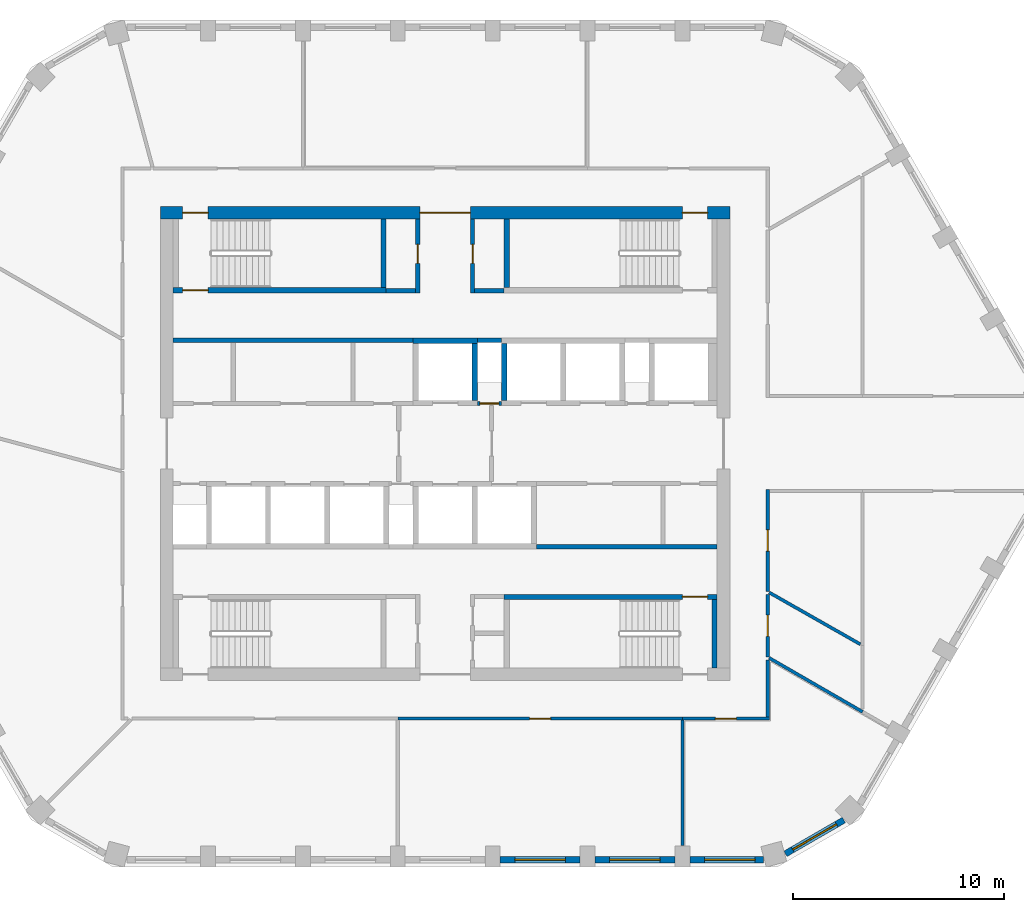
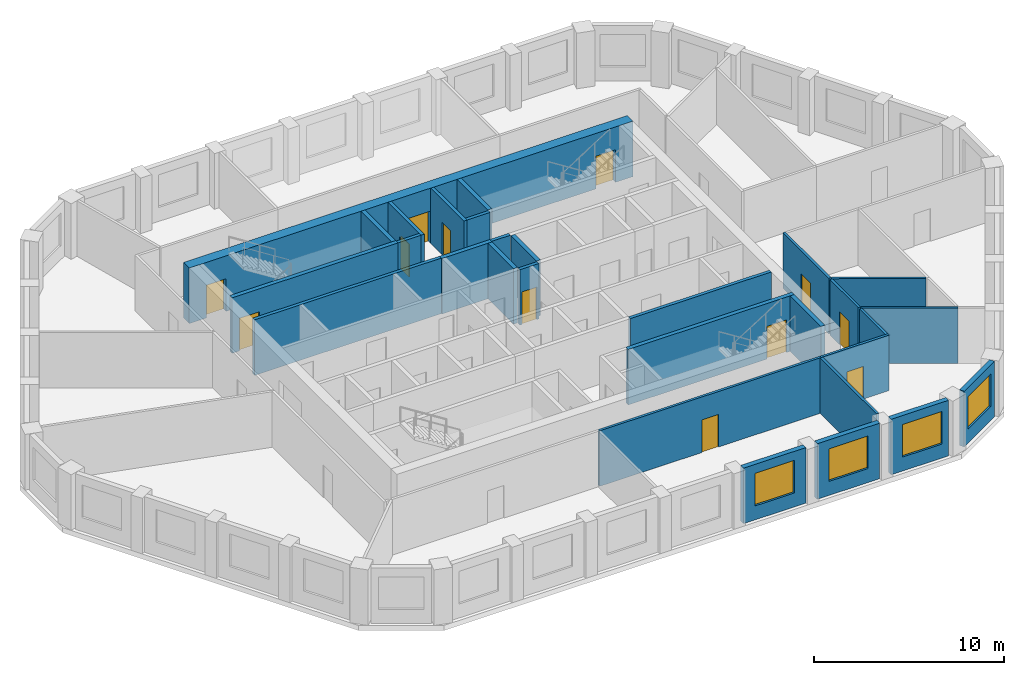
# One storey, part 4 of 10: 29 walls, 12 doors, 4 windows, 16 openings.
"""IFC4 building model written with IfcOpenShell, lengths in metres."""

from ifc_helpers import new_model, si_unit, direction, frame, frame_2d, origin, place, context, subcontext, project, spatial, polyline, rectangle, outline, extrude, material, layer, layer_set, type_object, element, fill, save


model = new_model("IFC4")

# Units and contexts
model_context = context("Model", 3, precision=1e-05, world=origin(), true_north=direction((0.0, 1.0)))
body_context = subcontext(model_context, "Body", "Model", "MODEL_VIEW")
ifc_project = project(units=[si_unit("LENGTHUNIT", "METRE"), si_unit("AREAUNIT", "SQUARE_METRE"), si_unit("VOLUMEUNIT", "CUBIC_METRE"), si_unit("PLANEANGLEUNIT", "RADIAN"), si_unit("MASSUNIT", "GRAM", prefix="KILO")], contexts=[model_context])

# Site, building, storey
site_placement = place(None, origin())
site = spatial("IfcSite", under=ifc_project, at=site_placement, CompositionType="ELEMENT")
building_placement = place(site_placement, origin())
building = spatial("IfcBuilding", under=site, at=building_placement, Name="Dhurran Vertical Campus", CompositionType="ELEMENT")
storey_placement = place(building_placement, frame((0.0, 0.0, 250.800048828125)))
storey = spatial("IfcBuildingStorey", under=building, at=storey_placement, Name="L62", CompositionType="ELEMENT", Elevation=250.800048828125)

# Wall, opening, window
ifc_material_1 = material(Name="Precast concrete C50/60", Category="concrete")
ifc_layer_1 = layer(ifc_material_1, 0.300048828125)
ifc_layer_set_1 = layer_set([ifc_layer_1], Name="Precast concrete C50/60")
wall_type_1 = type_object("IfcWallType", Name="Precast spandrel wall 300", PredefinedType="SOLIDWALL", material=ifc_layer_set_1)
wall_1_placement = place(storey_placement, frame((2.6005859375, -19.738525390625, 0.0), z_axis=(0.0, 0.0, 1.0), x_axis=(1.0, 0.0, 0.0)))
wall_1 = element("IfcWall", 1, at=wall_1_placement, inside=storey, type_object=wall_type_1, Name="EW1 L62.04", PredefinedType="SOLIDWALL", context=body_context, shape_type="SweptSolid", body=[
    extrude(rectangle(XDim=3.798828125, YDim=0.300048828125, at=frame_2d((1.8994140625, 0.0))), origin(), (0.0, 0.0, 1.0), 3.574951171875),
])
opening_1_placement = place(wall_1_placement, frame((0.699462890625, 0.0, 0.89990234375)))
opening_1 = element("IfcOpeningElement", 2, at=opening_1_placement, cuts=wall_1, Name="Opening WT1", PredefinedType="OPENING", context=body_context, shape_type="SweptSolid", body=[
    extrude(rectangle(XDim=2.39990234375, YDim=2.10009765625, at=frame_2d((1.199951171875, 1.050048828125))), frame((0.0, 0.159912109375, 0.0), z_axis=(0.0, -1.0, 0.0), x_axis=(1.0, 0.0, 0.0)), (0.0, 0.0, 1.0), 0.320068359375),
])
ifc_material_2 = material(Name="Aluminium frame with solar-control glass", Category="aluminium")
window_type = type_object("IfcWindowType", Name="Punched window 2400 x 2100", PartitioningType="SINGLE_PANEL", PredefinedType="WINDOW", material=ifc_material_2)
window_1_placement = place(opening_1_placement, origin())
window_1 = element("IfcWindow", 3, at=window_1_placement, inside=storey, type_object=window_type, Name="WT1 L62.04", OverallHeight=2.10009765625, OverallWidth=2.39990234375, PartitioningType="SINGLE_PANEL", PredefinedType="WINDOW", context=body_context, shape_type="SweptSolid", body=[
    extrude(rectangle(XDim=2.39990234375, YDim=2.10009765625, at=frame_2d((1.199951171875, 1.050048828125))), frame((0.0, 0.030029296875, 0.0), z_axis=(0.0, -1.0, 0.0), x_axis=(1.0, 0.0, 0.0)), (0.0, 0.0, 1.0), 0.06005859375),
])
fill(opening_1, window_1)

wall_2_placement = place(storey_placement, frame((7.1005859375, -19.738525390625, 0.0), z_axis=(0.0, 0.0, 1.0), x_axis=(1.0, 0.0, 0.0)))
wall_2 = element("IfcWall", 4, at=wall_2_placement, inside=storey, type_object=wall_type_1, Name="EW1 L62.05", PredefinedType="SOLIDWALL", context=body_context, shape_type="SweptSolid", body=[
    extrude(rectangle(XDim=3.798828125, YDim=0.300048828125, at=frame_2d((1.8994140625, 0.0))), origin(), (0.0, 0.0, 1.0), 3.574951171875),
])
opening_2_placement = place(wall_2_placement, frame((0.699462890625, 0.0, 0.89990234375)))
opening_2 = element("IfcOpeningElement", 5, at=opening_2_placement, cuts=wall_2, Name="Opening WT1", PredefinedType="OPENING", context=body_context, shape_type="SweptSolid", body=[
    extrude(rectangle(XDim=2.39990234375, YDim=2.10009765625, at=frame_2d((1.199951171875, 1.050048828125))), frame((0.0, 0.159912109375, 0.0), z_axis=(0.0, -1.0, 0.0), x_axis=(1.0, 0.0, 0.0)), (0.0, 0.0, 1.0), 0.320068359375),
])
window_2_placement = place(opening_2_placement, origin())
window_2 = element("IfcWindow", 6, at=window_2_placement, inside=storey, type_object=window_type, Name="WT1 L62.05", OverallHeight=2.10009765625, OverallWidth=2.39990234375, PartitioningType="SINGLE_PANEL", PredefinedType="WINDOW", context=body_context, shape_type="SweptSolid", body=[
    extrude(rectangle(XDim=2.39990234375, YDim=2.10009765625, at=frame_2d((1.199951171875, 1.050048828125))), frame((0.0, 0.030029296875, 0.0), z_axis=(0.0, -1.0, 0.0), x_axis=(1.0, 0.0, 0.0)), (0.0, 0.0, 1.0), 0.06005859375),
])
fill(opening_2, window_2)

wall_3_placement = place(storey_placement, frame((11.6005859375, -19.738525390625, 0.0), z_axis=(0.0, 0.0, 1.0), x_axis=(1.0, 0.0, 0.0)))
wall_3 = element("IfcWall", 7, at=wall_3_placement, inside=storey, type_object=wall_type_1, Name="EW1 L62.06", PredefinedType="SOLIDWALL", context=body_context, shape_type="SweptSolid", body=[
    extrude(rectangle(XDim=3.49755859375, YDim=0.300048828125, at=frame_2d((1.748779296875, 0.0))), origin(), (0.0, 0.0, 1.0), 3.574951171875),
])
opening_3_placement = place(wall_3_placement, frame((0.699462890625, 0.0, 0.89990234375)))
opening_3 = element("IfcOpeningElement", 8, at=opening_3_placement, cuts=wall_3, Name="Opening WT1", PredefinedType="OPENING", context=body_context, shape_type="SweptSolid", body=[
    extrude(rectangle(XDim=2.39990234375, YDim=2.10009765625, at=frame_2d((1.199951171875, 1.050048828125))), frame((0.0, 0.159912109375, 0.0), z_axis=(0.0, -1.0, 0.0), x_axis=(1.0, 0.0, 0.0)), (0.0, 0.0, 1.0), 0.320068359375),
])
window_3_placement = place(opening_3_placement, origin())
window_3 = element("IfcWindow", 9, at=window_3_placement, inside=storey, type_object=window_type, Name="WT1 L62.06", OverallHeight=2.10009765625, OverallWidth=2.39990234375, PartitioningType="SINGLE_PANEL", PredefinedType="WINDOW", context=body_context, shape_type="SweptSolid", body=[
    extrude(rectangle(XDim=2.39990234375, YDim=2.10009765625, at=frame_2d((1.199951171875, 1.050048828125))), frame((0.0, 0.030029296875, 0.0), z_axis=(0.0, -1.0, 0.0), x_axis=(1.0, 0.0, 0.0)), (0.0, 0.0, 1.0), 0.06005859375),
])
fill(opening_3, window_3)

wall_4_placement = place(storey_placement, frame((16.1396484375, -19.45947265625, 0.0), z_axis=(0.0, 0.0, 1.0), x_axis=(0.866025316205, 0.500000151692, 0.0)))
wall_4 = element("IfcWall", 10, at=wall_4_placement, inside=storey, type_object=wall_type_1, Name="EW1 L62.07", PredefinedType="SOLIDWALL", context=body_context, shape_type="SweptSolid", body=[
    extrude(rectangle(XDim=3.1962890625, YDim=0.300048828125, at=frame_2d((1.59814453125, 0.0))), origin(), (0.0, 0.0, 1.0), 3.574951171875),
])
opening_4_placement = place(wall_4_placement, frame((0.398193359375, 0.0, 0.89990234375)))
opening_4 = element("IfcOpeningElement", 11, at=opening_4_placement, cuts=wall_4, Name="Opening WT1", PredefinedType="OPENING", context=body_context, shape_type="SweptSolid", body=[
    extrude(rectangle(XDim=2.39990234375, YDim=2.10009765625, at=frame_2d((1.199951171875, 1.050048828125))), frame((0.0, 0.159912109375, 0.0), z_axis=(0.0, -1.0, 0.0), x_axis=(1.0, 0.0, 0.0)), (0.0, 0.0, 1.0), 0.320068359375),
])
window_4_placement = place(opening_4_placement, origin())
window_4 = element("IfcWindow", 12, at=window_4_placement, inside=storey, type_object=window_type, Name="WT1 L62.07", OverallHeight=2.10009765625, OverallWidth=2.39990234375, PartitioningType="SINGLE_PANEL", PredefinedType="WINDOW", context=body_context, shape_type="SweptSolid", body=[
    extrude(rectangle(XDim=2.39990234375, YDim=2.10009765625, at=frame_2d((1.199951171875, 1.050048828125))), frame((0.0, 0.030029296875, 0.0), z_axis=(0.0, -1.0, 0.0), x_axis=(1.0, 0.0, 0.0)), (0.0, 0.0, 1.0), 0.06005859375),
])
fill(opening_4, window_4)

# Wall, openings, doors
ifc_material_3 = material(Name="Concrete C50/60", Category="concrete")
ifc_layer_2 = layer(ifc_material_3, 0.60009765625)
ifc_layer_set_2 = layer_set([ifc_layer_2], Name="Concrete C50/60")
wall_type_2 = type_object("IfcWallType", Name="co-CORE-WALL-C2-600", PredefinedType="SHEAR", material=ifc_layer_set_2)
wall_5_placement = place(storey_placement, frame((-13.5, 10.949951171875, 0.0), z_axis=(0.0, 0.0, 1.0), x_axis=(1.0, 0.0, 0.0)))
wall_5 = element("IfcWall", 13, at=wall_5_placement, inside=storey, type_object=wall_type_2, Name="Core wall N L62", PredefinedType="SHEAR", context=body_context, shape_type="SweptSolid", body=[
    extrude(rectangle(XDim=27.0, YDim=0.60009765625, at=frame_2d((13.5, 0.0))), origin(), (0.0, 0.0, 1.0), 3.574951171875),
])
opening_5_placement = place(wall_5_placement, frame((12.300048828125, 0.0, 0.0)))
opening_5 = element("IfcOpeningElement", 14, at=opening_5_placement, cuts=wall_5, Name="Opening CV1", PredefinedType="OPENING", context=body_context, shape_type="SweptSolid", body=[
    extrude(rectangle(XDim=2.39990234375, YDim=2.10009765625, at=frame_2d((1.199951171875, 1.050048828125))), frame((0.0, 0.31005859375, 0.0), z_axis=(0.0, -1.0, 0.0), x_axis=(1.0, 0.0, 0.0)), (0.0, 0.0, 1.0), 0.6201171875),
])
opening_6_placement = place(wall_5_placement, frame((1.050048828125, 0.0, 0.0)))
opening_6 = element("IfcOpeningElement", 15, at=opening_6_placement, cuts=wall_5, Name="Opening XD1", PredefinedType="OPENING", context=body_context, shape_type="SweptSolid", body=[
    extrude(rectangle(XDim=1.199951171875, YDim=2.10009765625, at=frame_2d((0.60009765625, 1.050048828125))), frame((0.0, 0.31005859375, 0.0), z_axis=(0.0, -1.0, 0.0), x_axis=(1.0, 0.0, 0.0)), (0.0, 0.0, 1.0), 0.6201171875),
])
opening_7_placement = place(wall_5_placement, frame((24.75, 0.0, 0.0)))
opening_7 = element("IfcOpeningElement", 16, at=opening_7_placement, cuts=wall_5, Name="Opening XD2", PredefinedType="OPENING", context=body_context, shape_type="SweptSolid", body=[
    extrude(rectangle(XDim=1.199951171875, YDim=2.10009765625, at=frame_2d((0.60009765625, 1.050048828125))), frame((0.0, 0.31005859375, 0.0), z_axis=(0.0, -1.0, 0.0), x_axis=(1.0, 0.0, 0.0)), (0.0, 0.0, 1.0), 0.6201171875),
])
ifc_material_4 = material(Name="Fire-rated glazed door set")
door_type_1 = type_object("IfcDoorType", Name="co-D-LOBBY 2400x2100", OperationType="DOUBLE_DOOR_DOUBLE_SWING", PredefinedType="DOOR", material=ifc_material_4)
door_1_placement = place(opening_5_placement, origin())
door_1 = element("IfcDoor", 17, at=door_1_placement, inside=storey, type_object=door_type_1, Name="Core vestibule door N L62", OperationType="DOUBLE_DOOR_DOUBLE_SWING", OverallHeight=2.10009765625, OverallWidth=2.39990234375, PredefinedType="DOOR", context=body_context, shape_type="SweptSolid", body=[
    extrude(rectangle(XDim=2.39990234375, YDim=2.10009765625, at=frame_2d((1.199951171875, 1.050048828125))), frame((0.0, 0.02490234375, 0.0), z_axis=(0.0, -1.0, 0.0), x_axis=(1.0, 0.0, 0.0)), (0.0, 0.0, 1.0), 0.050048828125),
])
fill(opening_5, door_1)
ifc_material_5 = material(Name="Fire-rated steel door set", Category="steel")
door_type_2 = type_object("IfcDoorType", Name="co-D-STAIR-EXIT 1200x2100", OperationType="SINGLE_SWING_RIGHT", PredefinedType="DOOR", material=ifc_material_5)
door_2_placement = place(opening_6_placement, origin())
door_2 = element("IfcDoor", 18, at=door_2_placement, inside=storey, type_object=door_type_2, Name="Stair ST1 exit door L62", OperationType="SINGLE_SWING_RIGHT", OverallHeight=2.10009765625, OverallWidth=1.199951171875, PredefinedType="DOOR", context=body_context, shape_type="SweptSolid", body=[
    extrude(rectangle(XDim=1.199951171875, YDim=2.10009765625, at=frame_2d((0.60009765625, 1.050048828125))), frame((0.0, 0.02490234375, 0.0), z_axis=(0.0, -1.0, 0.0), x_axis=(1.0, 0.0, 0.0)), (0.0, 0.0, 1.0), 0.050048828125),
])
fill(opening_6, door_2)
door_3_placement = place(opening_7_placement, origin())
door_3 = element("IfcDoor", 19, at=door_3_placement, inside=storey, type_object=door_type_2, Name="Stair ST2 exit door L62", OperationType="SINGLE_SWING_RIGHT", OverallHeight=2.10009765625, OverallWidth=1.199951171875, PredefinedType="DOOR", context=body_context, shape_type="SweptSolid", body=[
    extrude(rectangle(XDim=1.199951171875, YDim=2.10009765625, at=frame_2d((0.60009765625, 1.050048828125))), frame((0.0, 0.02490234375, 0.0), z_axis=(0.0, -1.0, 0.0), x_axis=(1.0, 0.0, 0.0)), (0.0, 0.0, 1.0), 0.050048828125),
])
fill(opening_7, door_3)

# Walls
ifc_material_6 = material(Name="Fire-rated masonry blockwork", Category="masonry")
ifc_layer_3 = layer(ifc_material_6, 0.199951171875)
ifc_layer_set_3 = layer_set([ifc_layer_3], Name="Fire-rated masonry blockwork")
wall_type_3 = type_object("IfcWallType", Name="co-FIRE-PARTITION-200", PredefinedType="PARTITIONING", material=ifc_layer_set_3)
for number, where, z_axis, x_axis, name in (
    (20, (-2.800048828125, 7.25, 0.0), (0.0, 0.0, 1.0), (1.0, 0.0, 0.0), "Core partition sl-NW-S L62"),
    (21, (1.39990234375, 7.25, 0.0), (0.0, 0.0, 1.0), (1.0, 0.0, 0.0), "Core partition sl-NE-S L62"),
):
    element("IfcWall", number, at=place(storey_placement, frame(where, z_axis=z_axis, x_axis=x_axis)), inside=storey, type_object=wall_type_3, Name=name, PredefinedType="PARTITIONING", context=body_context, shape_type="SweptSolid", body=[
        extrude(rectangle(XDim=1.400146484375, YDim=0.199951171875, at=frame_2d((0.7001953125, 0.0))), origin(), (0.0, 0.0, 1.0), 3.574951171875),
    ])

# Wall, opening, door
wall_6_placement = place(storey_placement, frame((-1.300048828125, 7.14990234375, 0.0), z_axis=(0.0, 0.0, 1.0), x_axis=(0.0, 1.0, 0.0)))
wall_6 = element("IfcWall", 22, at=wall_6_placement, inside=storey, type_object=wall_type_3, Name="Core partition vest-NW L62", PredefinedType="PARTITIONING", context=body_context, shape_type="SweptSolid", body=[
    extrude(rectangle(XDim=3.5, YDim=0.199951171875, at=frame_2d((1.75, 0.0))), origin(), (0.0, 0.0, 1.0), 3.574951171875),
])
opening_8_placement = place(wall_6_placement, frame((1.39990234375, 0.0, 0.0)))
opening_8 = element("IfcOpeningElement", 23, at=opening_8_placement, cuts=wall_6, Name="Opening T18-C4", PredefinedType="OPENING", context=body_context, shape_type="SweptSolid", body=[
    extrude(rectangle(XDim=0.89990234375, YDim=2.10009765625, at=frame_2d((0.449951171875, 1.050048828125))), frame((0.0, 0.10986328125, 0.0), z_axis=(0.0, -1.0, 0.0), x_axis=(1.0, 0.0, 0.0)), (0.0, 0.0, 1.0), 0.219970703125),
])
ifc_material_7 = material(Name="Fire-rated timber door set", Category="wood")
door_type_3 = type_object("IfcDoorType", Name="co-D-ROOM 900x2100", OperationType="SINGLE_SWING_LEFT", PredefinedType="DOOR", material=ifc_material_7)
door_4_placement = place(opening_8_placement, origin())
door_4 = element("IfcDoor", 24, at=door_4_placement, inside=storey, type_object=door_type_3, Name="Print room door L62", OperationType="SINGLE_SWING_LEFT", OverallHeight=2.10009765625, OverallWidth=0.89990234375, PredefinedType="DOOR", context=body_context, shape_type="SweptSolid", body=[
    extrude(rectangle(XDim=0.89990234375, YDim=2.10009765625, at=frame_2d((0.449951171875, 1.050048828125))), frame((0.0, 0.02490234375, 0.0), z_axis=(0.0, -1.0, 0.0), x_axis=(1.0, 0.0, 0.0)), (0.0, 0.0, 1.0), 0.050048828125),
])
fill(opening_8, door_4)

wall_7_placement = place(storey_placement, frame((1.300048828125, 7.14990234375, 0.0), z_axis=(0.0, 0.0, 1.0), x_axis=(0.0, 1.0, 0.0)))
wall_7 = element("IfcWall", 25, at=wall_7_placement, inside=storey, type_object=wall_type_3, Name="Core partition vest-NE L62", PredefinedType="PARTITIONING", context=body_context, shape_type="SweptSolid", body=[
    extrude(rectangle(XDim=3.5, YDim=0.199951171875, at=frame_2d((1.75, 0.0))), origin(), (0.0, 0.0, 1.0), 3.574951171875),
])
opening_9_placement = place(wall_7_placement, frame((1.39990234375, 0.0, 0.0)))
opening_9 = element("IfcOpeningElement", 26, at=opening_9_placement, cuts=wall_7, Name="Opening T18-C5", PredefinedType="OPENING", context=body_context, shape_type="SweptSolid", body=[
    extrude(rectangle(XDim=0.89990234375, YDim=2.10009765625, at=frame_2d((0.449951171875, 1.050048828125))), frame((0.0, 0.10986328125, 0.0), z_axis=(0.0, -1.0, 0.0), x_axis=(1.0, 0.0, 0.0)), (0.0, 0.0, 1.0), 0.219970703125),
])
door_5_placement = place(opening_9_placement, origin())
door_5 = element("IfcDoor", 27, at=door_5_placement, inside=storey, type_object=door_type_3, Name="Plant room door L62", OperationType="SINGLE_SWING_LEFT", OverallHeight=2.10009765625, OverallWidth=0.89990234375, PredefinedType="DOOR", context=body_context, shape_type="SweptSolid", body=[
    extrude(rectangle(XDim=0.89990234375, YDim=2.10009765625, at=frame_2d((0.449951171875, 1.050048828125))), frame((0.0, 0.02490234375, 0.0), z_axis=(0.0, -1.0, 0.0), x_axis=(1.0, 0.0, 0.0)), (0.0, 0.0, 1.0), 0.050048828125),
])
fill(opening_9, door_5)

# Wall
wall_8_placement = place(storey_placement, frame((-12.89990234375, 4.89990234375, 0.0), z_axis=(0.0, 0.0, 1.0), x_axis=(1.0, 0.0, 0.0)))
element("IfcWall", 28, at=wall_8_placement, inside=storey, type_object=wall_type_3, Name="Core partition fr-N0-b L62", PredefinedType="PARTITIONING", context=body_context, shape_type="SweptSolid", body=[
    extrude(rectangle(XDim=11.375, YDim=0.199951171875, at=frame_2d((5.6875, 0.0))), origin(), (0.0, 0.0, 1.0), 3.574951171875),
])

# Wall, opening, door
wall_9_placement = place(storey_placement, frame((1.52490234375, 1.89990234375, 0.0), z_axis=(0.0, 0.0, 1.0), x_axis=(1.0, 0.0, 0.0)))
wall_9 = element("IfcWall", 29, at=wall_9_placement, inside=storey, type_object=wall_type_3, Name="Core partition fr-N1-f L62", PredefinedType="PARTITIONING", context=body_context, shape_type="SweptSolid", body=[
    extrude(rectangle(XDim=1.150146484375, YDim=0.199951171875, at=frame_2d((0.5751953125, 0.0))), origin(), (0.0, 0.0, 1.0), 3.574951171875),
])
opening_10_placement = place(wall_9_placement, frame((0.125, 0.0, 0.0)))
opening_10 = element("IfcOpeningElement", 30, at=opening_10_placement, cuts=wall_9, Name="Opening T18-C9", PredefinedType="OPENING", context=body_context, shape_type="SweptSolid", body=[
    extrude(rectangle(XDim=0.89990234375, YDim=2.10009765625, at=frame_2d((0.449951171875, 1.050048828125))), frame((0.0, 0.10986328125, 0.0), z_axis=(0.0, -1.0, 0.0), x_axis=(1.0, 0.0, 0.0)), (0.0, 0.0, 1.0), 0.219970703125),
])
door_6_placement = place(opening_10_placement, origin())
door_6 = element("IfcDoor", 31, at=door_6_placement, inside=storey, type_object=door_type_3, Name="Water riser door L62", OperationType="SINGLE_SWING_LEFT", OverallHeight=2.10009765625, OverallWidth=0.89990234375, PredefinedType="DOOR", context=body_context, shape_type="SweptSolid", body=[
    extrude(rectangle(XDim=0.89990234375, YDim=2.10009765625, at=frame_2d((0.449951171875, 1.050048828125))), frame((0.0, 0.02490234375, 0.0), z_axis=(0.0, -1.0, 0.0), x_axis=(1.0, 0.0, 0.0)), (0.0, 0.0, 1.0), 0.050048828125),
])
fill(opening_10, door_6)

# Walls
wall_10_placement = place(storey_placement, frame((1.52490234375, 4.89990234375, 0.0), z_axis=(0.0, 0.0, 1.0), x_axis=(1.0, 0.0, 0.0)))
element("IfcWall", 32, at=wall_10_placement, inside=storey, type_object=wall_type_3, Name="Core partition fr-N1-b L62", PredefinedType="PARTITIONING", context=body_context, shape_type="SweptSolid", body=[
    extrude(rectangle(XDim=1.150146484375, YDim=0.199951171875, at=frame_2d((0.5751953125, 0.0))), origin(), (0.0, 0.0, 1.0), 3.574951171875),
])
wall_11_placement = place(storey_placement, frame((4.324951171875, -4.89990234375, 0.0), z_axis=(0.0, 0.0, 1.0), x_axis=(1.0, 0.0, 0.0)))
element("IfcWall", 33, at=wall_11_placement, inside=storey, type_object=wall_type_3, Name="Core partition fr-S2-b L62", PredefinedType="PARTITIONING", context=body_context, shape_type="SweptSolid", body=[
    extrude(rectangle(XDim=8.574951171875, YDim=0.199951171875, at=frame_2d((4.28759765625, 0.0))), origin(), (0.0, 0.0, 1.0), 3.574951171875),
])
ifc_material_8 = material(Name="Concrete C50/60", Category="concrete")
ifc_layer_4 = layer(ifc_material_8, 0.25)
ifc_layer_set_4 = layer_set([ifc_layer_4], Name="Concrete C50/60")
wall_type_4 = type_object("IfcWallType", Name="co-SHAFT-MASS-250", PredefinedType="SHEAR", material=ifc_layer_set_4)
wall_12_placement = place(storey_placement, origin())
element("IfcWall", 34, at=wall_12_placement, inside=storey, type_object=wall_type_4, Name="Lift shaft wall N L62 1", PredefinedType="SHEAR", context=body_context, shape_type="SweptSolid", body=[
    extrude(outline(polyline([(-1.52490234375, 4.75), (1.52490234375, 4.75), (1.52490234375, 5.0), (-1.52490234375, 5.0), (-1.52490234375, 4.75)])), origin(), (0.0, 0.0, 1.0), 3.574951171875),
])
wall_13_placement = place(storey_placement, origin())
element("IfcWall", 35, at=wall_13_placement, inside=storey, type_object=wall_type_4, Name="Lift shaft wall N L62 5", PredefinedType="SHEAR", context=body_context, shape_type="SweptSolid", body=[
    extrude(outline(polyline([(1.27490234375, 2.050048828125), (1.52490234375, 2.050048828125), (1.52490234375, 4.75), (1.27490234375, 4.75), (1.27490234375, 2.050048828125)])), origin(), (0.0, 0.0, 1.0), 3.574951171875),
])
wall_14_placement = place(storey_placement, origin())
element("IfcWall", 36, at=wall_14_placement, inside=storey, type_object=wall_type_4, Name="Lift shaft wall N L62 6", PredefinedType="SHEAR", context=body_context, shape_type="SweptSolid", body=[
    extrude(outline(polyline([(2.675048828125, 2.050048828125), (2.925048828125, 2.050048828125), (2.925048828125, 4.75), (2.675048828125, 4.75), (2.675048828125, 2.050048828125)])), origin(), (0.0, 0.0, 1.0), 3.574951171875),
])

# Wall, opening, door
ifc_material_9 = material(Name="Concrete C40/50", Category="concrete")
ifc_layer_5 = layer(ifc_material_9, 0.25)
ifc_layer_set_5 = layer_set([ifc_layer_5], Name="Concrete C40/50")
wall_type_5 = type_object("IfcWallType", Name="co-STAIR-WALL-250", PredefinedType="SHEAR", material=ifc_layer_set_5)
wall_15_placement = place(storey_placement, frame((-12.89990234375, 7.27490234375, 0.0), z_axis=(0.0, 0.0, 1.0), x_axis=(1.0, 0.0, 0.0)))
wall_15 = element("IfcWall", 37, at=wall_15_placement, inside=storey, type_object=wall_type_5, Name="Stair ST1 enclosure wall L62", PredefinedType="SHEAR", context=body_context, shape_type="SweptSolid", body=[
    extrude(rectangle(XDim=10.099853515625, YDim=0.25, at=frame_2d((5.0498046875, 0.0))), origin(), (0.0, 0.0, 1.0), 3.574951171875),
])
opening_11_placement = place(wall_15_placement, frame((0.449951171875, 0.0, 0.0)))
opening_11 = element("IfcOpeningElement", 38, at=opening_11_placement, cuts=wall_15, Name="Opening SD1", PredefinedType="OPENING", context=body_context, shape_type="SweptSolid", body=[
    extrude(rectangle(XDim=1.199951171875, YDim=2.10009765625, at=frame_2d((0.60009765625, 1.050048828125))), frame((0.0, 0.135009765625, 0.0), z_axis=(0.0, -1.0, 0.0), x_axis=(1.0, 0.0, 0.0)), (0.0, 0.0, 1.0), 0.27001953125),
])
ifc_material_10 = material(Name="Fire-rated steel door set", Category="steel")
door_type_4 = type_object("IfcDoorType", Name="co-D-STAIR 1200x2100", OperationType="SINGLE_SWING_LEFT", PredefinedType="DOOR", material=ifc_material_10)
door_7_placement = place(opening_11_placement, origin())
door_7 = element("IfcDoor", 39, at=door_7_placement, inside=storey, type_object=door_type_4, Name="Stair ST1 door L62", OperationType="SINGLE_SWING_LEFT", OverallHeight=2.10009765625, OverallWidth=1.199951171875, PredefinedType="DOOR", context=body_context, shape_type="SweptSolid", body=[
    extrude(rectangle(XDim=1.199951171875, YDim=2.10009765625, at=frame_2d((0.60009765625, 1.050048828125))), frame((0.0, 0.02490234375, 0.0), z_axis=(0.0, -1.0, 0.0), x_axis=(1.0, 0.0, 0.0)), (0.0, 0.0, 1.0), 0.050048828125),
])
fill(opening_11, door_7)

# Walls
for number, where, z_axis, x_axis, name in (
    (40, (-2.925048828125, 7.39990234375, 0.0), (0.0, 0.0, 1.0), (0.0, 1.0, 0.0), "Stair ST1 enclosure wall L62"),
    (41, (2.925048828125, 7.39990234375, 0.0), (0.0, 0.0, 1.0), (0.0, 1.0, 0.0), "Stair ST2 enclosure wall L62"),
):
    element("IfcWall", number, at=place(storey_placement, frame(where, z_axis=z_axis, x_axis=x_axis)), inside=storey, type_object=wall_type_5, Name=name, PredefinedType="SHEAR", context=body_context, shape_type="SweptSolid", body=[
        extrude(rectangle(XDim=3.25, YDim=0.25, at=frame_2d((1.625, 0.0))), origin(), (0.0, 0.0, 1.0), 3.574951171875),
    ])

# Wall, opening, door
wall_16_placement = place(storey_placement, frame((2.800048828125, -7.27490234375, 0.0), z_axis=(0.0, 0.0, 1.0), x_axis=(1.0, 0.0, 0.0)))
wall_16 = element("IfcWall", 42, at=wall_16_placement, inside=storey, type_object=wall_type_5, Name="Stair ST4 enclosure wall L62", PredefinedType="SHEAR", context=body_context, shape_type="SweptSolid", body=[
    extrude(rectangle(XDim=10.099853515625, YDim=0.25, at=frame_2d((5.0498046875, 0.0))), origin(), (0.0, 0.0, 1.0), 3.574951171875),
])
opening_12_placement = place(wall_16_placement, frame((8.449951171875, 0.0, 0.0)))
opening_12 = element("IfcOpeningElement", 43, at=opening_12_placement, cuts=wall_16, Name="Opening SD4", PredefinedType="OPENING", context=body_context, shape_type="SweptSolid", body=[
    extrude(rectangle(XDim=1.199951171875, YDim=2.10009765625, at=frame_2d((0.60009765625, 1.050048828125))), frame((0.0, 0.135009765625, 0.0), z_axis=(0.0, -1.0, 0.0), x_axis=(1.0, 0.0, 0.0)), (0.0, 0.0, 1.0), 0.27001953125),
])
door_8_placement = place(opening_12_placement, origin())
door_8 = element("IfcDoor", 44, at=door_8_placement, inside=storey, type_object=door_type_4, Name="Stair ST4 door L62", OperationType="SINGLE_SWING_LEFT", OverallHeight=2.10009765625, OverallWidth=1.199951171875, PredefinedType="DOOR", context=body_context, shape_type="SweptSolid", body=[
    extrude(rectangle(XDim=1.199951171875, YDim=2.10009765625, at=frame_2d((0.60009765625, 1.050048828125))), frame((0.0, 0.02490234375, 0.0), z_axis=(0.0, -1.0, 0.0), x_axis=(1.0, 0.0, 0.0)), (0.0, 0.0, 1.0), 0.050048828125),
])
fill(opening_12, door_8)

# Wall
wall_17_placement = place(storey_placement, frame((12.77490234375, -10.64990234375, 0.0), z_axis=(0.0, 0.0, 1.0), x_axis=(0.0, 1.0, 0.0)))
element("IfcWall", 45, at=wall_17_placement, inside=storey, type_object=wall_type_5, Name="Stair ST4 enclosure wall L62", PredefinedType="SHEAR", context=body_context, shape_type="SweptSolid", body=[
    extrude(rectangle(XDim=3.25, YDim=0.25, at=frame_2d((1.625, 0.0))), origin(), (0.0, 0.0, 1.0), 3.574951171875),
])

# Wall, opening, door
ifc_material_11 = material(Name="Gypsum board corridor wall on steel studs", Category="steel")
ifc_layer_6 = layer(ifc_material_11, 0.14990234375)
ifc_layer_set_6 = layer_set([ifc_layer_6], Name="Gypsum board corridor wall on steel studs")
wall_type_6 = type_object("IfcWallType", Name="fl-CW-150 corridor wall", PredefinedType="PARTITIONING", material=ifc_layer_set_6)
wall_18_placement = place(storey_placement, frame((-2.25, -13.050048828125, 0.0), z_axis=(0.0, 0.0, 1.0), x_axis=(1.0, 0.0, 0.0)))
wall_18 = element("IfcWall", 46, at=wall_18_placement, inside=storey, type_object=wall_type_6, Name="Partition 62-15", PredefinedType="PARTITIONING", context=body_context, shape_type="SweptSolid", body=[
    extrude(rectangle(XDim=13.5, YDim=0.14990234375, at=frame_2d((6.75, 0.0))), origin(), (0.0, 0.0, 1.0), 3.574951171875),
])
opening_13_placement = place(wall_18_placement, frame((6.25, 0.0, 0.0)))
opening_13 = element("IfcOpeningElement", 47, at=opening_13_placement, cuts=wall_18, Name="Opening T18.07", PredefinedType="OPENING", context=body_context, shape_type="SweptSolid", body=[
    extrude(rectangle(XDim=1.0, YDim=2.10009765625, at=frame_2d((0.5, 1.050048828125))), frame((0.0, 0.0849609375, 0.0), z_axis=(0.0, -1.0, 0.0), x_axis=(1.0, 0.0, 0.0)), (0.0, 0.0, 1.0), 0.169921875),
])
ifc_material_12 = material(Name="Solid-core timber door set, fire-rated", Category="wood")
door_type_5 = type_object("IfcDoorType", Name="fl-D-1000x2100", OperationType="SINGLE_SWING_LEFT", PredefinedType="DOOR", material=ifc_material_12)
door_9_placement = place(opening_13_placement, origin())
door_9 = element("IfcDoor", 48, at=door_9_placement, inside=storey, type_object=door_type_5, Name="Door 62.07", OperationType="SINGLE_SWING_RIGHT", OverallHeight=2.10009765625, OverallWidth=1.0, PredefinedType="DOOR", context=body_context, shape_type="SweptSolid", body=[
    extrude(rectangle(XDim=1.0, YDim=2.10009765625, at=frame_2d((0.5, 1.050048828125))), frame((0.0, 0.02490234375, 0.0), z_axis=(0.0, -1.0, 0.0), x_axis=(1.0, 0.0, 0.0)), (0.0, 0.0, 1.0), 0.050048828125),
])
fill(opening_13, door_9)

wall_19_placement = place(storey_placement, frame((11.25, -13.050048828125, 0.0), z_axis=(0.0, 0.0, 1.0), x_axis=(1.0, 0.0, 0.0)))
wall_19 = element("IfcWall", 49, at=wall_19_placement, inside=storey, type_object=wall_type_6, Name="Partition 62-19", PredefinedType="PARTITIONING", context=body_context, shape_type="SweptSolid", body=[
    extrude(rectangle(XDim=4.125, YDim=0.14990234375, at=frame_2d((2.0625, 0.0))), origin(), (0.0, 0.0, 1.0), 3.574951171875),
])
opening_14_placement = place(wall_19_placement, frame((1.5625, 0.0, 0.0)))
opening_14 = element("IfcOpeningElement", 50, at=opening_14_placement, cuts=wall_19, Name="Opening T18.09", PredefinedType="OPENING", context=body_context, shape_type="SweptSolid", body=[
    extrude(rectangle(XDim=1.0, YDim=2.10009765625, at=frame_2d((0.5, 1.050048828125))), frame((0.0, 0.0849609375, 0.0), z_axis=(0.0, -1.0, 0.0), x_axis=(1.0, 0.0, 0.0)), (0.0, 0.0, 1.0), 0.169921875),
])
door_10_placement = place(opening_14_placement, origin())
door_10 = element("IfcDoor", 51, at=door_10_placement, inside=storey, type_object=door_type_5, Name="Door 62.09", OperationType="SINGLE_SWING_RIGHT", OverallHeight=2.10009765625, OverallWidth=1.0, PredefinedType="DOOR", context=body_context, shape_type="SweptSolid", body=[
    extrude(rectangle(XDim=1.0, YDim=2.10009765625, at=frame_2d((0.5, 1.050048828125))), frame((0.0, 0.02490234375, 0.0), z_axis=(0.0, -1.0, 0.0), x_axis=(1.0, 0.0, 0.0)), (0.0, 0.0, 1.0), 0.050048828125),
])
fill(opening_14, door_10)

# Wall
wall_20_placement = place(storey_placement, frame((15.300048828125, -12.97509765625, 0.0), z_axis=(0.0, 0.0, 1.0), x_axis=(0.0, 1.0, 0.0)))
element("IfcWall", 52, at=wall_20_placement, inside=storey, type_object=wall_type_6, Name="Partition 62-20", PredefinedType="PARTITIONING", context=body_context, shape_type="SweptSolid", body=[
    extrude(rectangle(XDim=2.713134765625, YDim=0.14990234375, at=frame_2d((1.3564453125, 0.0))), origin(), (0.0, 0.0, 1.0), 3.574951171875),
])

# Wall, opening, door
wall_21_placement = place(storey_placement, frame((15.300048828125, -10.132080078125, 0.0), z_axis=(0.0, 0.0, 1.0), x_axis=(0.0, 1.0, 0.0)))
wall_21 = element("IfcWall", 53, at=wall_21_placement, inside=storey, type_object=wall_type_6, Name="Partition 62-21", PredefinedType="PARTITIONING", context=body_context, shape_type="SweptSolid", body=[
    extrude(rectangle(XDim=2.97998046875, YDim=0.14990234375, at=frame_2d((1.489990234375, 0.0))), origin(), (0.0, 0.0, 1.0), 3.574951171875),
])
opening_15_placement = place(wall_21_placement, frame((0.989990234375, 0.0, 0.0)))
opening_15 = element("IfcOpeningElement", 54, at=opening_15_placement, cuts=wall_21, Name="Opening T18.10", PredefinedType="OPENING", context=body_context, shape_type="SweptSolid", body=[
    extrude(rectangle(XDim=1.0, YDim=2.10009765625, at=frame_2d((0.5, 1.050048828125))), frame((0.0, 0.0849609375, 0.0), z_axis=(0.0, -1.0, 0.0), x_axis=(1.0, 0.0, 0.0)), (0.0, 0.0, 1.0), 0.169921875),
])
door_11_placement = place(opening_15_placement, origin())
door_11 = element("IfcDoor", 55, at=door_11_placement, inside=storey, type_object=door_type_5, Name="Door 62.10", OperationType="SINGLE_SWING_RIGHT", OverallHeight=2.10009765625, OverallWidth=1.0, PredefinedType="DOOR", context=body_context, shape_type="SweptSolid", body=[
    extrude(rectangle(XDim=1.0, YDim=2.10009765625, at=frame_2d((0.5, 1.050048828125))), frame((0.0, 0.02490234375, 0.0), z_axis=(0.0, -1.0, 0.0), x_axis=(1.0, 0.0, 0.0)), (0.0, 0.0, 1.0), 0.050048828125),
])
fill(opening_15, door_11)

wall_22_placement = place(storey_placement, frame((15.300048828125, -7.027099609375, 0.0), z_axis=(0.0, 0.0, 1.0), x_axis=(0.0, 1.0, 0.0)))
wall_22 = element("IfcWall", 56, at=wall_22_placement, inside=storey, type_object=wall_type_6, Name="Partition 62-23", PredefinedType="PARTITIONING", context=body_context, shape_type="SweptSolid", body=[
    extrude(rectangle(XDim=4.85205078125, YDim=0.14990234375, at=frame_2d((2.426025390625, 0.0))), origin(), (0.0, 0.0, 1.0), 3.574951171875),
])
opening_16_placement = place(wall_22_placement, frame((1.926025390625, 0.0, 0.0)))
opening_16 = element("IfcOpeningElement", 57, at=opening_16_placement, cuts=wall_22, Name="Opening T18.12", PredefinedType="OPENING", context=body_context, shape_type="SweptSolid", body=[
    extrude(rectangle(XDim=1.0, YDim=2.10009765625, at=frame_2d((0.5, 1.050048828125))), frame((0.0, 0.0849609375, 0.0), z_axis=(0.0, -1.0, 0.0), x_axis=(1.0, 0.0, 0.0)), (0.0, 0.0, 1.0), 0.169921875),
])
door_12_placement = place(opening_16_placement, origin())
door_12 = element("IfcDoor", 58, at=door_12_placement, inside=storey, type_object=door_type_5, Name="Door 62.12", OperationType="SINGLE_SWING_RIGHT", OverallHeight=2.10009765625, OverallWidth=1.0, PredefinedType="DOOR", context=body_context, shape_type="SweptSolid", body=[
    extrude(rectangle(XDim=1.0, YDim=2.10009765625, at=frame_2d((0.5, 1.050048828125))), frame((0.0, 0.02490234375, 0.0), z_axis=(0.0, -1.0, 0.0), x_axis=(1.0, 0.0, 0.0)), (0.0, 0.0, 1.0), 0.050048828125),
])
fill(opening_16, door_12)

# Walls
ifc_material_13 = material(Name="Gypsum board partition on steel studs", Category="steel")
ifc_layer_7 = layer(ifc_material_13, 0.14990234375)
ifc_layer_set_7 = layer_set([ifc_layer_7], Name="Gypsum board partition on steel studs")
wall_type_7 = type_object("IfcWallType", Name="fl-PW-150 fixed partition", PredefinedType="PARTITIONING", material=ifc_layer_set_7)
wall_23_placement = place(storey_placement, frame((11.25, -13.125, 0.0), z_axis=(0.0, 0.0, 1.0), x_axis=(0.0, -1.0, 0.0)))
element("IfcWall", 59, at=wall_23_placement, inside=storey, type_object=wall_type_7, Name="Partition 62-18", PredefinedType="PARTITIONING", context=body_context, shape_type="SweptSolid", body=[
    extrude(rectangle(XDim=5.943603515625, YDim=0.14990234375, at=frame_2d((2.9716796875, 0.0))), origin(), (0.0, 0.0, 1.0), 3.574951171875),
])
wall_24_placement = place(storey_placement, frame((15.364990234375, -10.16943359375, 0.0), z_axis=(0.0, 0.0, 1.0), x_axis=(0.866028396804, -0.499994815902, 0.0)))
element("IfcWall", 60, at=wall_24_placement, inside=storey, type_object=wall_type_7, Name="Partition 62-22", PredefinedType="PARTITIONING", context=body_context, shape_type="SweptSolid", body=[
    extrude(rectangle(XDim=5.12109375, YDim=0.14990234375, at=frame_2d((2.560546875, 0.0))), origin(), (0.0, 0.0, 1.0), 3.574951171875),
])
wall_25_placement = place(storey_placement, frame((15.365234375, -7.06396484375, 0.0), z_axis=(0.0, 0.0, 1.0), x_axis=(0.869523611324, -0.493891374039, 0.0)))
element("IfcWall", 61, at=wall_25_placement, inside=storey, type_object=wall_type_7, Name="Partition 62-24", PredefinedType="PARTITIONING", context=body_context, shape_type="SweptSolid", body=[
    extrude(rectangle(XDim=4.975341796875, YDim=0.14990234375, at=frame_2d((2.48779296875, 0.0))), origin(), (0.0, 0.0, 1.0), 3.574951171875),
])

save(model, "model.ifc")
